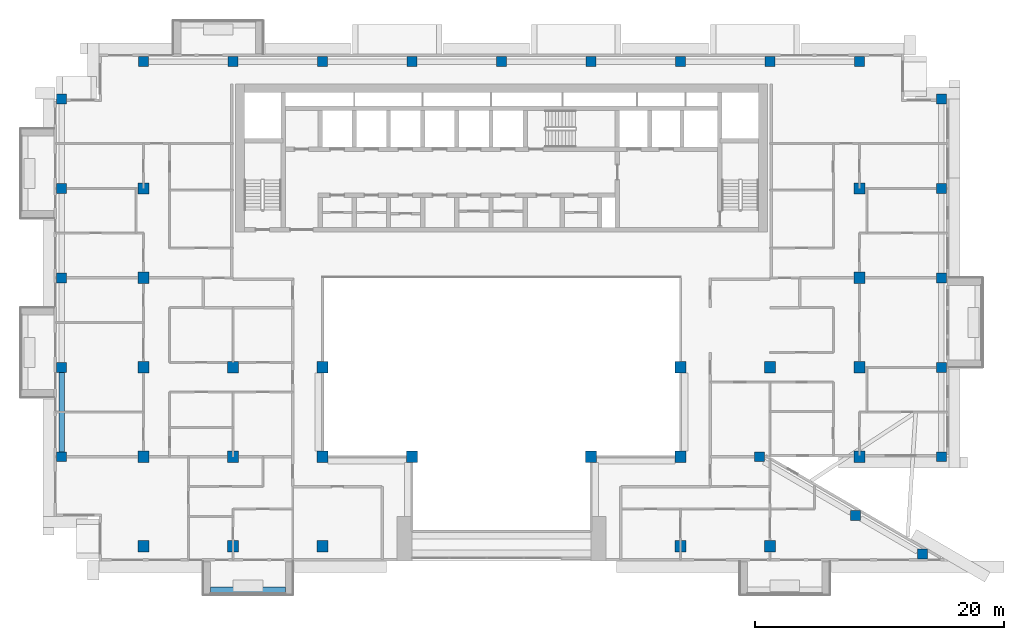
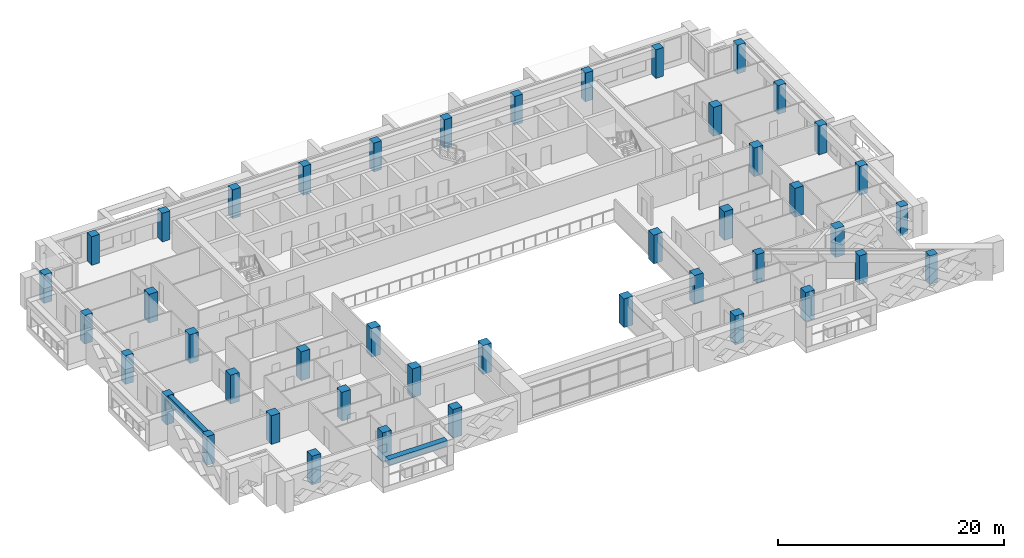
# One storey, part 1 of 20: 44 columns, 2 beams.
"""IFC4 building model written with IfcOpenShell, lengths in metres."""

from ifc_helpers import new_model, si_unit, direction, frame, origin, origin_2d, place, context, subcontext, project, spatial, rectangle, extrude, source, transform, mapped, material, material_profile, profile_set, type_object, element, save


model = new_model("IFC4")

# Units and contexts
model_context = context("Model", 3, precision=1e-05, world=origin(), true_north=direction((0.0, 1.0)))
body_context = subcontext(model_context, "Body", "Model", "MODEL_VIEW")
ifc_project = project(units=[si_unit("LENGTHUNIT", "METRE"), si_unit("AREAUNIT", "SQUARE_METRE"), si_unit("VOLUMEUNIT", "CUBIC_METRE"), si_unit("PLANEANGLEUNIT", "RADIAN"), si_unit("MASSUNIT", "GRAM", prefix="KILO")], contexts=[model_context])

# Site, building, storey
site_placement = place(None, origin())
site = spatial("IfcSite", under=ifc_project, at=site_placement, CompositionType="ELEMENT")
building_placement = place(site_placement, origin())
building = spatial("IfcBuilding", under=site, at=building_placement, Name="Saffron Iwan Residences", CompositionType="ELEMENT")
storey_placement = place(building_placement, frame((0.0, 0.0, 202.5)))
storey = spatial("IfcBuildingStorey", under=building, at=storey_placement, Name="L54", CompositionType="ELEMENT", Elevation=202.5)

# Columns
ifc_material_1 = material(Name="Concrete C50/60", Category="concrete")
ifc_material_profile_1 = material_profile(ifc_material_1, rectangle(XDim=0.800048828125, YDim=0.800048828125, at=origin_2d()), Name="RC 800x800")
ifc_profile_set_1 = profile_set([ifc_material_profile_1], Name="Concrete C50/60")
column_type_1 = type_object("IfcColumnType", Name="COL RC 800x800 C50/60 3100 HIGH", PredefinedType="COLUMN", material=ifc_profile_set_1)
shared_shape_1 = source(origin(), body_context, "Body", "SweptSolid", [
    extrude(rectangle(XDim=0.800048828125, YDim=0.800048828125, at=origin_2d()), origin(), (0.0, 0.0, 1.0), 3.10009765625),
])
for number, where, z_axis, x_axis, name in (
    (1, (84.276123046875, 40.17431640625, 0.0), (0.0, 0.0, 1.0), (1.0, 0.0, 0.0), "Column C045"),
    (2, (78.897705078125, 43.28173828125, 0.0), (0.0, 0.0, 1.0), (1.0, 0.0, 0.0), "Column C058"),
    (3, (15.0, 48.0, 0.0), (0.0, 0.0, 1.0), (1.0, 0.0, 0.0), "Column C061"),
    (4, (71.14990234375, 48.0, 0.0), (0.0, 0.0, 1.0), (1.0, 0.0, 0.0), "Column C070"),
    (5, (85.800048828125, 48.0, 0.0), (0.0, 0.0, 1.0), (1.0, 0.0, 0.0), "Column C074"),
    (6, (15.0, 55.199951171875, 0.0), (0.0, 0.0, 1.0), (1.0, 0.0, 0.0), "Column C077"),
    (7, (85.800048828125, 55.199951171875, 0.0), (0.0, 0.0, 1.0), (1.0, 0.0, 0.0), "Column C086"),
    (8, (15.0, 62.39990234375, 0.0), (0.0, 0.0, 1.0), (1.0, 0.0, 0.0), "Column C089"),
    (9, (85.800048828125, 62.39990234375, 0.0), (0.0, 0.0, 1.0), (1.0, 0.0, 0.0), "Column C094"),
    (10, (15.0, 69.60009765625, 0.0), (0.0, 0.0, 1.0), (1.0, 0.0, 0.0), "Column C097"),
    (11, (85.800048828125, 69.60009765625, 0.0), (0.0, 0.0, 1.0), (1.0, 0.0, 0.0), "Column C102"),
    (12, (15.0, 76.800048828125, 0.0), (0.0, 0.0, 1.0), (1.0, 0.0, 0.0), "Column C105"),
    (13, (85.800048828125, 76.800048828125, 0.0), (0.0, 0.0, 1.0), (1.0, 0.0, 0.0), "Column C110"),
    (14, (21.60009765625, 79.800048828125, 0.0), (0.0, 0.0, 1.0), (1.0, 0.0, 0.0), "Column C113"),
    (15, (28.800048828125, 79.800048828125, 0.0), (0.0, 0.0, 1.0), (1.0, 0.0, 0.0), "Column C115"),
    (16, (36.0, 79.800048828125, 0.0), (0.0, 0.0, 1.0), (1.0, 0.0, 0.0), "Column C116"),
    (17, (43.199951171875, 79.800048828125, 0.0), (0.0, 0.0, 1.0), (1.0, 0.0, 0.0), "Column C117"),
    (18, (50.39990234375, 79.800048828125, 0.0), (0.0, 0.0, 1.0), (1.0, 0.0, 0.0), "Column C118"),
    (19, (57.60009765625, 79.800048828125, 0.0), (0.0, 0.0, 1.0), (1.0, 0.0, 0.0), "Column C119"),
    (20, (64.800048828125, 79.800048828125, 0.0), (0.0, 0.0, 1.0), (1.0, 0.0, 0.0), "Column C120"),
    (21, (72.0, 79.800048828125, 0.0), (0.0, 0.0, 1.0), (1.0, 0.0, 0.0), "Column C121"),
    (22, (79.199951171875, 79.800048828125, 0.0), (0.0, 0.0, 1.0), (1.0, 0.0, 0.0), "Column C123"),
):
    element("IfcColumn", number, at=place(storey_placement, frame(where, z_axis=z_axis, x_axis=x_axis)), inside=storey, type_object=column_type_1, Name=name, PredefinedType="COLUMN", context=body_context, shape_type="MappedRepresentation", body=[
        mapped(shared_shape_1, transform((0.0, 0.0, 0.0))),
    ])
ifc_material_profile_2 = material_profile(ifc_material_1, rectangle(XDim=0.89990234375, YDim=0.89990234375, at=origin_2d()), Name="RC 900x900")
ifc_profile_set_2 = profile_set([ifc_material_profile_2], Name="Concrete C50/60")
column_type_2 = type_object("IfcColumnType", Name="COL RC 900x900 C50/60 3100 HIGH", PredefinedType="COLUMN", material=ifc_profile_set_2)
shared_shape_2 = source(origin(), body_context, "Body", "SweptSolid", [
    extrude(rectangle(XDim=0.89990234375, YDim=0.89990234375, at=origin_2d()), origin(), (0.0, 0.0, 1.0), 3.10009765625),
])
for number, where, z_axis, x_axis, name in (
    (23, (21.60009765625, 40.800048828125, 0.0), (0.0, 0.0, 1.0), (1.0, 0.0, 0.0), "Column C049"),
    (24, (28.800048828125, 40.800048828125, 0.0), (0.0, 0.0, 1.0), (1.0, 0.0, 0.0), "Column C051"),
    (25, (36.0, 40.800048828125, 0.0), (0.0, 0.0, 1.0), (1.0, 0.0, 0.0), "Column C052"),
    (26, (64.800048828125, 40.800048828125, 0.0), (0.0, 0.0, 1.0), (1.0, 0.0, 0.0), "Column C055"),
    (27, (72.0, 40.800048828125, 0.0), (0.0, 0.0, 1.0), (1.0, 0.0, 0.0), "Column C056"),
    (28, (21.60009765625, 48.0, 0.0), (0.0, 0.0, 1.0), (1.0, 0.0, 0.0), "Column C063"),
    (29, (28.800048828125, 48.0, 0.0), (0.0, 0.0, 1.0), (1.0, 0.0, 0.0), "Column C064"),
    (30, (36.0, 48.0, 0.0), (0.0, 0.0, 1.0), (1.0, 0.0, 0.0), "Column C065"),
    (31, (43.199951171875, 48.0, 0.0), (0.0, 0.0, 1.0), (1.0, 0.0, 0.0), "Column C066"),
    (32, (57.60009765625, 48.0, 0.0), (0.0, 0.0, 1.0), (1.0, 0.0, 0.0), "Column C068"),
    (33, (64.800048828125, 48.0, 0.0), (0.0, 0.0, 1.0), (1.0, 0.0, 0.0), "Column C069"),
    (34, (79.199951171875, 48.0, 0.0), (0.0, 0.0, 1.0), (1.0, 0.0, 0.0), "Column C072"),
    (35, (21.60009765625, 55.199951171875, 0.0), (0.0, 0.0, 1.0), (1.0, 0.0, 0.0), "Column C079"),
    (36, (28.800048828125, 55.199951171875, 0.0), (0.0, 0.0, 1.0), (1.0, 0.0, 0.0), "Column C080"),
    (37, (36.0, 55.199951171875, 0.0), (0.0, 0.0, 1.0), (1.0, 0.0, 0.0), "Column C081"),
    (38, (64.800048828125, 55.199951171875, 0.0), (0.0, 0.0, 1.0), (1.0, 0.0, 0.0), "Column C082"),
    (39, (72.0, 55.199951171875, 0.0), (0.0, 0.0, 1.0), (1.0, 0.0, 0.0), "Column C083"),
    (40, (79.199951171875, 55.199951171875, 0.0), (0.0, 0.0, 1.0), (1.0, 0.0, 0.0), "Column C084"),
    (41, (21.60009765625, 62.39990234375, 0.0), (0.0, 0.0, 1.0), (1.0, 0.0, 0.0), "Column C091"),
    (42, (79.199951171875, 62.39990234375, 0.0), (0.0, 0.0, 1.0), (1.0, 0.0, 0.0), "Column C092"),
    (43, (21.60009765625, 69.60009765625, 0.0), (0.0, 0.0, 1.0), (1.0, 0.0, 0.0), "Column C099"),
    (44, (79.199951171875, 69.60009765625, 0.0), (0.0, 0.0, 1.0), (1.0, 0.0, 0.0), "Column C100"),
):
    element("IfcColumn", number, at=place(storey_placement, frame(where, z_axis=z_axis, x_axis=x_axis)), inside=storey, type_object=column_type_2, Name=name, PredefinedType="COLUMN", context=body_context, shape_type="MappedRepresentation", body=[
        mapped(shared_shape_2, transform((0.0, 0.0, 0.0))),
    ])

# Beams
ifc_material_profile_3 = material_profile(ifc_material_1, rectangle(XDim=0.449951171875, YDim=0.89990234375, at=origin_2d()), Name="RC 450x900")
ifc_profile_set_3 = profile_set([ifc_material_profile_3], Name="Concrete C50/60")
beam_type_1 = type_object("IfcBeamType", Name="SPANDREL BEAM RC 450x900 C50/60 TOP 3100", PredefinedType="SPANDREL", material=ifc_profile_set_3)
shared_shape_3 = source(origin(), body_context, "Body", "SweptSolid", [
    extrude(rectangle(XDim=0.449951171875, YDim=0.89990234375, at=origin_2d()), origin(), (0.0, 0.0, 1.0), 6.400146484375),
])
beam_1_placement = place(storey_placement, frame((15.0, 48.39990234375, 2.64990234375), z_axis=(0.0, 1.0, 0.0), x_axis=(-1.0, 0.0, 0.0)))
element("IfcBeam", 45, at=beam_1_placement, inside=storey, type_object=beam_type_1, Name="Spandrel beam", PredefinedType="SPANDREL", context=body_context, shape_type="MappedRepresentation", body=[
    mapped(shared_shape_3, transform((0.0, 0.0, 0.0))),
])
ifc_material_2 = material(Name="Concrete C50/60 white painted", Category="concrete")
ifc_material_profile_4 = material_profile(ifc_material_2, rectangle(XDim=0.60009765625, YDim=0.60009765625, at=origin_2d()), Name="BALCONY FASCIA BEAM 600 x 600")
ifc_profile_set_4 = profile_set([ifc_material_profile_4], Name="Concrete C50/60 white painted")
beam_type_2 = type_object("IfcBeamType", Name="BALCONY FASCIA BEAM 600 x 600", PredefinedType="BEAM", material=ifc_profile_set_4)
shared_shape_4 = source(origin(), body_context, "Body", "SweptSolid", [
    extrude(rectangle(XDim=0.60009765625, YDim=0.60009765625, at=origin_2d()), origin(), (0.0, 0.0, 1.0), 6.0),
])
beam_2_placement = place(storey_placement, frame((27.0, 37.199951171875, 2.449951171875), z_axis=(1.0, 0.0, 0.0), x_axis=(0.0, 1.0, 0.0)))
element("IfcBeam", 46, at=beam_2_placement, inside=storey, type_object=beam_type_2, Name="Balcony fascia beam L54 11-0", PredefinedType="BEAM", context=body_context, shape_type="MappedRepresentation", body=[
    mapped(shared_shape_4, transform((0.0, 0.0, 0.0))),
])

save(model, "model.ifc")
